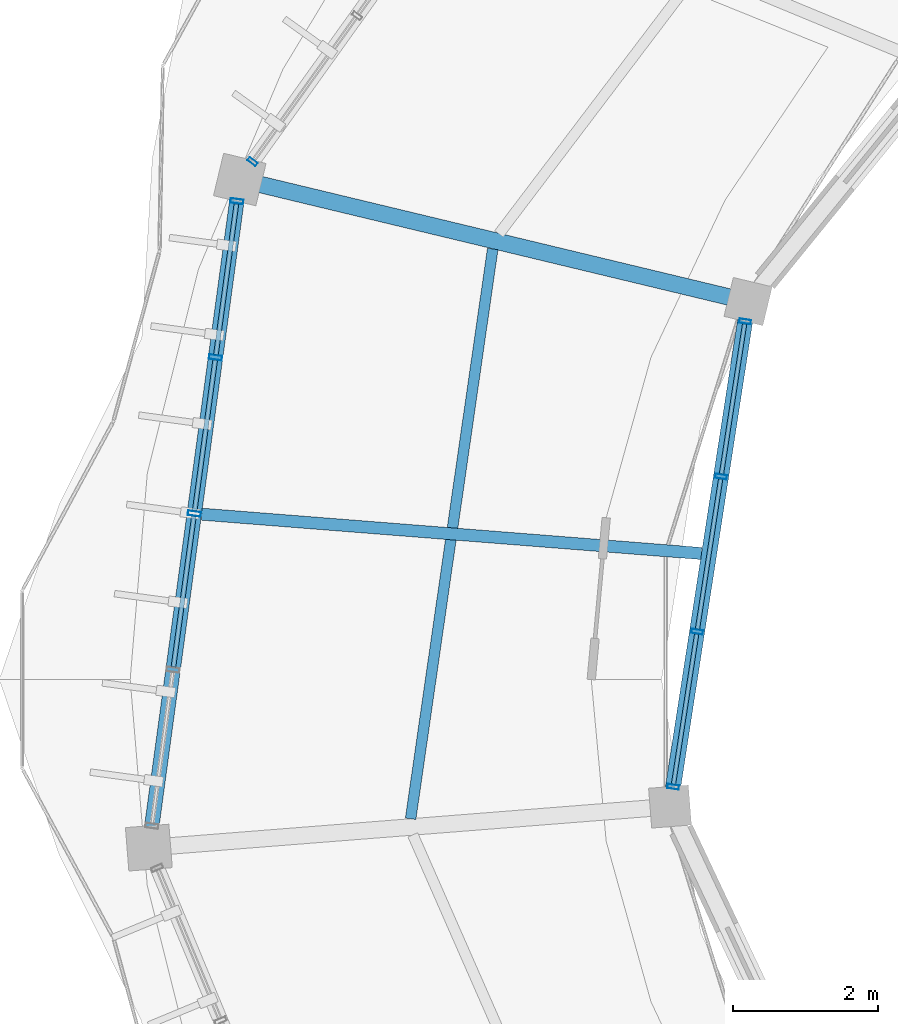
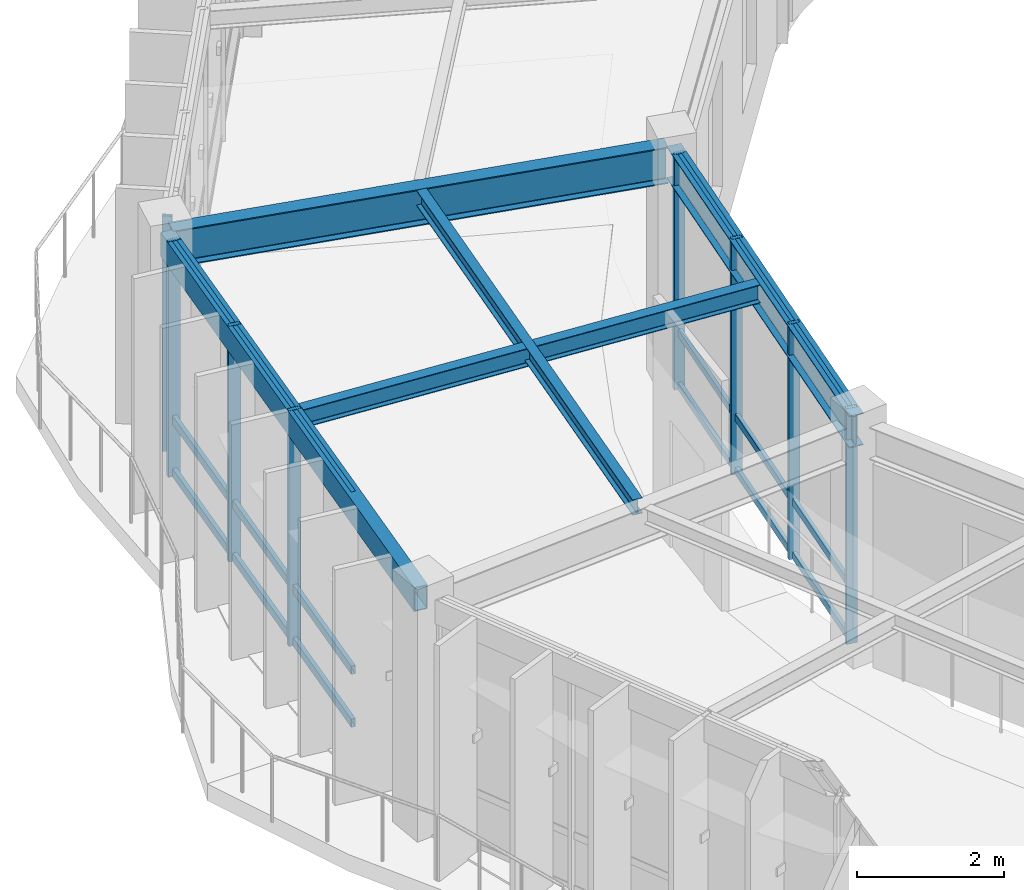
# One storey, part 18 of 83: 26 members, 5 beams, 3 elements without a shape of their own.
"""IFC4 building model written with IfcOpenShell, lengths in metres."""

from ifc_helpers import new_model, si_unit, direction, frame, origin, origin_2d, place, context, subcontext, project, spatial, hollow_rectangle, i_section, extrude, material, material_profile, profile_set, type_object, element, aggregate, save


model = new_model("IFC4")

# Units and contexts
model_context = context("Model", 3, precision=1e-05, world=origin(), true_north=direction((0.0, 1.0)))
body_context = subcontext(model_context, "Body", "Model", "MODEL_VIEW")
ifc_project = project(units=[si_unit("LENGTHUNIT", "METRE"), si_unit("AREAUNIT", "SQUARE_METRE"), si_unit("VOLUMEUNIT", "CUBIC_METRE"), si_unit("PLANEANGLEUNIT", "RADIAN"), si_unit("MASSUNIT", "GRAM", prefix="KILO"), si_unit("THERMODYNAMICTEMPERATUREUNIT", "KELVIN"), si_unit("POWERUNIT", "WATT")], contexts=[model_context])

# Site, building, storey
site_placement = place(None, origin())
site = spatial("IfcSite", under=ifc_project, at=site_placement, CompositionType="ELEMENT")
building_placement = place(site_placement, origin())
building = spatial("IfcBuilding", under=site, at=building_placement, Name="Darbajah Civic Hall", CompositionType="ELEMENT")
storey_placement = place(building_placement, frame((0.0, 0.0, 18.0)))
storey = spatial("IfcBuildingStorey", under=building, at=storey_placement, Name="L04", CompositionType="ELEMENT", Elevation=18.0)

# Curtain wall, member
ifc_material_1 = material(Name="Anodised Bronze Aluminium and Low-E Glazing", Category="aluminium")
curtain_wall_type_1 = type_object("IfcCurtainWallType", Name="Unitised Curtain Wall CW-68 9900x3900", PredefinedType="USERDEFINED", material=ifc_material_1)
curtain_wall_1_placement = place(storey_placement, origin())
curtain_wall_1 = element("IfcCurtainWall", 1, at=curtain_wall_1_placement, inside=storey, type_object=curtain_wall_type_1, Name="L04 unitised curtain wall CW-V1O-L04-08", ObjectType="UNITISED CURTAIN WALL", PredefinedType="USERDEFINED")
ifc_material_2 = material(Name="Anodised Bronze Aluminium", Category="aluminium")
ifc_material_profile_1 = material_profile(ifc_material_2, hollow_rectangle(XDim=0.054931640625, YDim=0.139892578125, WallThickness=0.003173828125, at=origin_2d()), Name="ALU MULLION 55x140")
ifc_profile_set_1 = profile_set([ifc_material_profile_1], Name="Anodised Bronze Aluminium")
member_type_1 = type_object("IfcMemberType", Name="ALU MULLION 55x140", PredefinedType="MULLION", material=ifc_profile_set_1)
member_1_placement = place(storey_placement, frame((39.684814453125, 96.93212890625, 0.0), z_axis=(0.0, 0.0, 1.0), x_axis=(-0.582264874145, -0.812999149039, 0.0)))
member_1 = element("IfcMember", 2, at=member_1_placement, type_object=member_type_1, Name="CW-V1O-L04-08 mullion 5", PredefinedType="MULLION", context=body_context, shape_type="SweptSolid", body=[
    extrude(hollow_rectangle(XDim=0.054931640625, YDim=0.139892578125, WallThickness=0.003173828125, at=origin_2d()), origin(), (0.0, 0.0, 1.0), 3.919921875),
])
aggregate(curtain_wall_1, [member_1])

# Curtain wall, members
curtain_wall_type_2 = type_object("IfcCurtainWallType", Name="Unitised Curtain Wall CW-70 6500x3900", PredefinedType="USERDEFINED", material=ifc_material_1)
curtain_wall_2_placement = place(storey_placement, origin())
curtain_wall_2 = element("IfcCurtainWall", 3, at=curtain_wall_2_placement, inside=storey, type_object=curtain_wall_type_2, Name="L04 unitised curtain wall CW-V1I-L04-09", ObjectType="UNITISED CURTAIN WALL", PredefinedType="USERDEFINED")
ifc_material_profile_2 = material_profile(ifc_material_2, hollow_rectangle(XDim=0.06005859375, YDim=0.159912109375, WallThickness=0.00341796875, at=origin_2d()), Name="ALU MULLION 60x160")
ifc_profile_set_2 = profile_set([ifc_material_profile_2], Name="Anodised Bronze Aluminium")
member_type_2 = type_object("IfcMemberType", Name="ALU MULLION 60x160", PredefinedType="MULLION", material=ifc_profile_set_2)
member_2_placement = place(storey_placement, frame((46.468017578125, 94.732177734375, 0.0), z_axis=(0.0, 0.0, 1.0), x_axis=(-0.152813355565, -0.98825506746, 0.0)))
member_2 = element("IfcMember", 4, at=member_2_placement, type_object=member_type_2, Name="CW-V1I-L04-09 mullion 1", PredefinedType="MULLION", context=body_context, shape_type="SweptSolid", body=[
    extrude(hollow_rectangle(XDim=0.06005859375, YDim=0.159912109375, WallThickness=0.00341796875, at=origin_2d()), origin(), (0.0, 0.0, 1.0), 3.919921875),
])
member_3_placement = place(storey_placement, frame((46.1376953125, 92.59619140625, 0.0), z_axis=(0.0, 0.0, 1.0), x_axis=(-0.152813355565, -0.98825506746, 0.0)))
member_3 = element("IfcMember", 5, at=member_3_placement, type_object=member_type_2, Name="CW-V1I-L04-09 mullion 2", PredefinedType="MULLION", context=body_context, shape_type="SweptSolid", body=[
    extrude(hollow_rectangle(XDim=0.06005859375, YDim=0.159912109375, WallThickness=0.00341796875, at=origin_2d()), origin(), (0.0, 0.0, 1.0), 3.919921875),
])
member_4_placement = place(storey_placement, frame((45.8076171875, 90.460205078125, 0.0), z_axis=(0.0, 0.0, 1.0), x_axis=(-0.152813355565, -0.98825506746, 0.0)))
member_4 = element("IfcMember", 6, at=member_4_placement, type_object=member_type_2, Name="CW-V1I-L04-09 mullion 3", PredefinedType="MULLION", context=body_context, shape_type="SweptSolid", body=[
    extrude(hollow_rectangle(XDim=0.06005859375, YDim=0.159912109375, WallThickness=0.00341796875, at=origin_2d()), origin(), (0.0, 0.0, 1.0), 3.919921875),
])
member_5_placement = place(storey_placement, frame((45.477294921875, 88.32421875, 0.0), z_axis=(0.0, 0.0, 1.0), x_axis=(-0.152813355565, -0.98825506746, 0.0)))
member_5 = element("IfcMember", 7, at=member_5_placement, type_object=member_type_2, Name="CW-V1I-L04-09 mullion 4", PredefinedType="MULLION", context=body_context, shape_type="SweptSolid", body=[
    extrude(hollow_rectangle(XDim=0.06005859375, YDim=0.159912109375, WallThickness=0.00341796875, at=origin_2d()), origin(), (0.0, 0.0, 1.0), 3.919921875),
])

curtain_wall_type_3 = type_object("IfcCurtainWallType", Name="Unitised Curtain Wall CW-69 8700x3900", PredefinedType="USERDEFINED", material=ifc_material_1)
curtain_wall_3_placement = place(storey_placement, origin())
curtain_wall_3 = element("IfcCurtainWall", 8, at=curtain_wall_3_placement, inside=storey, type_object=curtain_wall_type_3, Name="L04 unitised curtain wall CW-V1O-L04-09", ObjectType="UNITISED CURTAIN WALL", PredefinedType="USERDEFINED")
ifc_material_profile_3 = material_profile(ifc_material_2, hollow_rectangle(XDim=0.06494140625, YDim=0.179931640625, WallThickness=0.00390625, at=origin_2d()), Name="ALU MULLION 65x180")
ifc_profile_set_3 = profile_set([ifc_material_profile_3], Name="Anodised Bronze Aluminium")
member_type_3 = type_object("IfcMemberType", Name="ALU MULLION 65x180", PredefinedType="MULLION", material=ifc_profile_set_3)
member_6_placement = place(storey_placement, frame((39.468505859375, 96.387451171875, 0.0), z_axis=(0.0, 0.0, 1.0), x_axis=(-0.134850930274, -0.990865897387, 0.0)))
member_6 = element("IfcMember", 9, at=member_6_placement, type_object=member_type_3, Name="CW-V1O-L04-09 mullion 1", PredefinedType="MULLION", context=body_context, shape_type="SweptSolid", body=[
    extrude(hollow_rectangle(XDim=0.06494140625, YDim=0.179931640625, WallThickness=0.00390625, at=origin_2d()), origin(), (0.0, 0.0, 1.0), 3.919921875),
])
member_7_placement = place(storey_placement, frame((39.17578125, 94.23681640625, 0.0), z_axis=(0.0, 0.0, 1.0), x_axis=(-0.134850930274, -0.990865897387, 0.0)))
member_7 = element("IfcMember", 10, at=member_7_placement, type_object=member_type_3, Name="CW-V1O-L04-09 mullion 2", PredefinedType="MULLION", context=body_context, shape_type="SweptSolid", body=[
    extrude(hollow_rectangle(XDim=0.06494140625, YDim=0.179931640625, WallThickness=0.00390625, at=origin_2d()), origin(), (0.0, 0.0, 1.0), 3.919921875),
])
member_8_placement = place(storey_placement, frame((38.88330078125, 92.086181640625, 0.0), z_axis=(0.0, 0.0, 1.0), x_axis=(-0.134850930274, -0.990865897387, 0.0)))
member_8 = element("IfcMember", 11, at=member_8_placement, type_object=member_type_3, Name="CW-V1O-L04-09 mullion 3", PredefinedType="MULLION", context=body_context, shape_type="SweptSolid", body=[
    extrude(hollow_rectangle(XDim=0.06494140625, YDim=0.179931640625, WallThickness=0.00390625, at=origin_2d()), origin(), (0.0, 0.0, 1.0), 3.919921875),
])

# Member
ifc_material_profile_4 = material_profile(ifc_material_2, hollow_rectangle(XDim=0.06005859375, YDim=0.1201171875, WallThickness=0.003173828125, at=origin_2d()), Name="ALU TRANSOM 60x120")
ifc_profile_set_4 = profile_set([ifc_material_profile_4], Name="Anodised Bronze Aluminium")
member_type_4 = type_object("IfcMemberType", Name="ALU TRANSOM 60x120", PredefinedType="USERDEFINED", material=ifc_profile_set_4)
member_9_placement = place(storey_placement, frame((46.462646484375, 94.697509765625, 0.06005859375), z_axis=(-0.152802744048, -0.988256708255, 0.0), x_axis=(0.988256708255, -0.152802744048, 0.0)))
member_9 = element("IfcMember", 12, at=member_9_placement, type_object=member_type_4, Name="CW-V1I-L04-09 transom 1.1", ObjectType="TRANSOM", PredefinedType="USERDEFINED", context=body_context, shape_type="SweptSolid", body=[
    extrude(hollow_rectangle(XDim=0.06005859375, YDim=0.1201171875, WallThickness=0.003173828125, at=origin_2d()), origin(), (0.0, 0.0, 1.0), 2.091552734375),
])

member_10_placement = place(storey_placement, frame((46.462646484375, 94.697509765625, 0.949951171875), z_axis=(-0.152802744048, -0.988256708255, 0.0), x_axis=(0.988256708255, -0.152802744048, 0.0)))
member_10 = element("IfcMember", 13, at=member_10_placement, type_object=member_type_4, Name="CW-V1I-L04-09 transom 1.2", ObjectType="TRANSOM", PredefinedType="USERDEFINED", context=body_context, shape_type="SweptSolid", body=[
    extrude(hollow_rectangle(XDim=0.06005859375, YDim=0.1201171875, WallThickness=0.003173828125, at=origin_2d()), origin(), (0.0, 0.0, 1.0), 2.091552734375),
])

member_11_placement = place(storey_placement, frame((46.462646484375, 94.697509765625, 3.860107421875), z_axis=(-0.152802744048, -0.988256708255, 0.0), x_axis=(0.988256708255, -0.152802744048, 0.0)))
member_11 = element("IfcMember", 14, at=member_11_placement, type_object=member_type_4, Name="CW-V1I-L04-09 transom 1.3", ObjectType="TRANSOM", PredefinedType="USERDEFINED", context=body_context, shape_type="SweptSolid", body=[
    extrude(hollow_rectangle(XDim=0.06005859375, YDim=0.1201171875, WallThickness=0.003173828125, at=origin_2d()), origin(), (0.0, 0.0, 1.0), 2.091552734375),
])

member_12_placement = place(storey_placement, frame((46.13232421875, 92.5615234375, 0.06005859375), z_axis=(-0.152802744048, -0.988256708255, 0.0), x_axis=(0.988256708255, -0.152802744048, 0.0)))
member_12 = element("IfcMember", 15, at=member_12_placement, type_object=member_type_4, Name="CW-V1I-L04-09 transom 2.1", ObjectType="TRANSOM", PredefinedType="USERDEFINED", context=body_context, shape_type="SweptSolid", body=[
    extrude(hollow_rectangle(XDim=0.06005859375, YDim=0.1201171875, WallThickness=0.003173828125, at=origin_2d()), origin(), (0.0, 0.0, 1.0), 2.091552734375),
])

member_13_placement = place(storey_placement, frame((46.13232421875, 92.5615234375, 0.949951171875), z_axis=(-0.152802744048, -0.988256708255, 0.0), x_axis=(0.988256708255, -0.152802744048, 0.0)))
member_13 = element("IfcMember", 16, at=member_13_placement, type_object=member_type_4, Name="CW-V1I-L04-09 transom 2.2", ObjectType="TRANSOM", PredefinedType="USERDEFINED", context=body_context, shape_type="SweptSolid", body=[
    extrude(hollow_rectangle(XDim=0.06005859375, YDim=0.1201171875, WallThickness=0.003173828125, at=origin_2d()), origin(), (0.0, 0.0, 1.0), 2.091552734375),
])

member_14_placement = place(storey_placement, frame((46.13232421875, 92.5615234375, 3.860107421875), z_axis=(-0.152802744048, -0.988256708255, 0.0), x_axis=(0.988256708255, -0.152802744048, 0.0)))
member_14 = element("IfcMember", 17, at=member_14_placement, type_object=member_type_4, Name="CW-V1I-L04-09 transom 2.3", ObjectType="TRANSOM", PredefinedType="USERDEFINED", context=body_context, shape_type="SweptSolid", body=[
    extrude(hollow_rectangle(XDim=0.06005859375, YDim=0.1201171875, WallThickness=0.003173828125, at=origin_2d()), origin(), (0.0, 0.0, 1.0), 2.091552734375),
])

member_15_placement = place(storey_placement, frame((45.80224609375, 90.425537109375, 0.06005859375), z_axis=(-0.152802744048, -0.988256708255, 0.0), x_axis=(0.988256708255, -0.152802744048, 0.0)))
member_15 = element("IfcMember", 18, at=member_15_placement, type_object=member_type_4, Name="CW-V1I-L04-09 transom 3.1", ObjectType="TRANSOM", PredefinedType="USERDEFINED", context=body_context, shape_type="SweptSolid", body=[
    extrude(hollow_rectangle(XDim=0.06005859375, YDim=0.1201171875, WallThickness=0.003173828125, at=origin_2d()), origin(), (0.0, 0.0, 1.0), 2.091552734375),
])

member_16_placement = place(storey_placement, frame((45.80224609375, 90.425537109375, 0.949951171875), z_axis=(-0.152802744048, -0.988256708255, 0.0), x_axis=(0.988256708255, -0.152802744048, 0.0)))
member_16 = element("IfcMember", 19, at=member_16_placement, type_object=member_type_4, Name="CW-V1I-L04-09 transom 3.2", ObjectType="TRANSOM", PredefinedType="USERDEFINED", context=body_context, shape_type="SweptSolid", body=[
    extrude(hollow_rectangle(XDim=0.06005859375, YDim=0.1201171875, WallThickness=0.003173828125, at=origin_2d()), origin(), (0.0, 0.0, 1.0), 2.091552734375),
])

member_17_placement = place(storey_placement, frame((45.80224609375, 90.425537109375, 3.860107421875), z_axis=(-0.152802744048, -0.988256708255, 0.0), x_axis=(0.988256708255, -0.152802744048, 0.0)))
member_17 = element("IfcMember", 20, at=member_17_placement, type_object=member_type_4, Name="CW-V1I-L04-09 transom 3.3", ObjectType="TRANSOM", PredefinedType="USERDEFINED", context=body_context, shape_type="SweptSolid", body=[
    extrude(hollow_rectangle(XDim=0.06005859375, YDim=0.1201171875, WallThickness=0.003173828125, at=origin_2d()), origin(), (0.0, 0.0, 1.0), 2.091552734375),
])

aggregate(curtain_wall_2, [member_2, member_3, member_4, member_5, member_9, member_10, member_11, member_12, member_13, member_14, member_15, member_16, member_17])

ifc_material_profile_5 = material_profile(ifc_material_2, hollow_rectangle(XDim=0.06494140625, YDim=0.139892578125, WallThickness=0.00341796875, at=origin_2d()), Name="ALU TRANSOM 65x140")
ifc_profile_set_5 = profile_set([ifc_material_profile_5], Name="Anodised Bronze Aluminium")
member_type_5 = type_object("IfcMemberType", Name="ALU TRANSOM 65x140", PredefinedType="USERDEFINED", material=ifc_profile_set_5)
member_18_placement = place(storey_placement, frame((39.46337890625, 96.35009765625, 0.070068359375), z_axis=(-0.134811621813, -0.990871246239, 0.0), x_axis=(0.990871246239, -0.134811621813, 0.0)))
member_18 = element("IfcMember", 21, at=member_18_placement, type_object=member_type_5, Name="CW-V1O-L04-09 transom 1.1", ObjectType="TRANSOM", PredefinedType="USERDEFINED", context=body_context, shape_type="SweptSolid", body=[
    extrude(hollow_rectangle(XDim=0.06494140625, YDim=0.139892578125, WallThickness=0.00341796875, at=origin_2d()), origin(), (0.0, 0.0, 1.0), 2.09521484375),
])

member_19_placement = place(storey_placement, frame((39.46337890625, 96.35009765625, 0.949951171875), z_axis=(-0.134811621813, -0.990871246239, 0.0), x_axis=(0.990871246239, -0.134811621813, 0.0)))
member_19 = element("IfcMember", 22, at=member_19_placement, type_object=member_type_5, Name="CW-V1O-L04-09 transom 1.2", ObjectType="TRANSOM", PredefinedType="USERDEFINED", context=body_context, shape_type="SweptSolid", body=[
    extrude(hollow_rectangle(XDim=0.06494140625, YDim=0.139892578125, WallThickness=0.00341796875, at=origin_2d()), origin(), (0.0, 0.0, 1.0), 2.09521484375),
])

member_20_placement = place(storey_placement, frame((39.46337890625, 96.35009765625, 3.85009765625), z_axis=(-0.134811621813, -0.990871246239, 0.0), x_axis=(0.990871246239, -0.134811621813, 0.0)))
member_20 = element("IfcMember", 23, at=member_20_placement, type_object=member_type_5, Name="CW-V1O-L04-09 transom 1.3", ObjectType="TRANSOM", PredefinedType="USERDEFINED", context=body_context, shape_type="SweptSolid", body=[
    extrude(hollow_rectangle(XDim=0.06494140625, YDim=0.139892578125, WallThickness=0.00341796875, at=origin_2d()), origin(), (0.0, 0.0, 1.0), 2.09521484375),
])

member_21_placement = place(storey_placement, frame((39.170654296875, 94.19970703125, 0.070068359375), z_axis=(-0.134796058973, -0.990873363496, 0.0), x_axis=(0.990873363496, -0.134796058973, 0.0)))
member_21 = element("IfcMember", 24, at=member_21_placement, type_object=member_type_5, Name="CW-V1O-L04-09 transom 2.1", ObjectType="TRANSOM", PredefinedType="USERDEFINED", context=body_context, shape_type="SweptSolid", body=[
    extrude(hollow_rectangle(XDim=0.06494140625, YDim=0.139892578125, WallThickness=0.00341796875, at=origin_2d()), origin(), (0.0, 0.0, 1.0), 2.095458984375),
])

member_22_placement = place(storey_placement, frame((39.170654296875, 94.19970703125, 0.949951171875), z_axis=(-0.134796058973, -0.990873363496, 0.0), x_axis=(0.990873363496, -0.134796058973, 0.0)))
member_22 = element("IfcMember", 25, at=member_22_placement, type_object=member_type_5, Name="CW-V1O-L04-09 transom 2.2", ObjectType="TRANSOM", PredefinedType="USERDEFINED", context=body_context, shape_type="SweptSolid", body=[
    extrude(hollow_rectangle(XDim=0.06494140625, YDim=0.139892578125, WallThickness=0.00341796875, at=origin_2d()), origin(), (0.0, 0.0, 1.0), 2.095458984375),
])

member_23_placement = place(storey_placement, frame((39.170654296875, 94.19970703125, 3.85009765625), z_axis=(-0.134796058973, -0.990873363496, 0.0), x_axis=(0.990873363496, -0.134796058973, 0.0)))
member_23 = element("IfcMember", 26, at=member_23_placement, type_object=member_type_5, Name="CW-V1O-L04-09 transom 2.3", ObjectType="TRANSOM", PredefinedType="USERDEFINED", context=body_context, shape_type="SweptSolid", body=[
    extrude(hollow_rectangle(XDim=0.06494140625, YDim=0.139892578125, WallThickness=0.00341796875, at=origin_2d()), origin(), (0.0, 0.0, 1.0), 2.095458984375),
])

member_24_placement = place(storey_placement, frame((38.878173828125, 92.048828125, 0.070068359375), z_axis=(-0.134796058973, -0.990873363496, 0.0), x_axis=(0.990873363496, -0.134796058973, 0.0)))
member_24 = element("IfcMember", 27, at=member_24_placement, type_object=member_type_5, Name="CW-V1O-L04-09 transom 3.1", ObjectType="TRANSOM", PredefinedType="USERDEFINED", context=body_context, shape_type="SweptSolid", body=[
    extrude(hollow_rectangle(XDim=0.06494140625, YDim=0.139892578125, WallThickness=0.00341796875, at=origin_2d()), origin(), (0.0, 0.0, 1.0), 2.095458984375),
])

member_25_placement = place(storey_placement, frame((38.878173828125, 92.048828125, 0.949951171875), z_axis=(-0.134796058973, -0.990873363496, 0.0), x_axis=(0.990873363496, -0.134796058973, 0.0)))
member_25 = element("IfcMember", 28, at=member_25_placement, type_object=member_type_5, Name="CW-V1O-L04-09 transom 3.2", ObjectType="TRANSOM", PredefinedType="USERDEFINED", context=body_context, shape_type="SweptSolid", body=[
    extrude(hollow_rectangle(XDim=0.06494140625, YDim=0.139892578125, WallThickness=0.00341796875, at=origin_2d()), origin(), (0.0, 0.0, 1.0), 2.095458984375),
])

member_26_placement = place(storey_placement, frame((38.878173828125, 92.048828125, 3.85009765625), z_axis=(-0.134796058973, -0.990873363496, 0.0), x_axis=(0.990873363496, -0.134796058973, 0.0)))
member_26 = element("IfcMember", 29, at=member_26_placement, type_object=member_type_5, Name="CW-V1O-L04-09 transom 3.3", ObjectType="TRANSOM", PredefinedType="USERDEFINED", context=body_context, shape_type="SweptSolid", body=[
    extrude(hollow_rectangle(XDim=0.06494140625, YDim=0.139892578125, WallThickness=0.00341796875, at=origin_2d()), origin(), (0.0, 0.0, 1.0), 2.095458984375),
])

aggregate(curtain_wall_3, [member_6, member_7, member_8, member_18, member_19, member_20, member_21, member_22, member_23, member_24, member_25, member_26])

# Beams
ifc_material_3 = material(Name="Steel S355JR", Category="steel")
ifc_material_profile_6 = material_profile(ifc_material_3, hollow_rectangle(XDim=0.199951171875, YDim=0.39990234375, WallThickness=0.013916015625, at=origin_2d()), Name="RHS 400x200x14")
ifc_profile_set_6 = profile_set([ifc_material_profile_6], Name="Steel S355JR")
beam_type_1 = type_object("IfcBeamType", Name="RHS 400x200x14", PredefinedType="SPANDREL", material=ifc_profile_set_6)
beam_1_placement = place(storey_placement, frame((39.498291015625, 96.607421875, 3.719970703125), z_axis=(-0.134804002093, -0.9908722829, 0.0), x_axis=(0.9908722829, -0.134804002093, 0.0)))
element("IfcBeam", 30, at=beam_1_placement, inside=storey, type_object=beam_type_1, Name="L04 beam SP-RHS400", PredefinedType="SPANDREL", context=body_context, shape_type="SweptSolid", body=[
    extrude(hollow_rectangle(XDim=0.199951171875, YDim=0.39990234375, WallThickness=0.013916015625, at=origin_2d()), origin(), (0.0, 0.0, 1.0), 9.1259765625),
])
ifc_material_profile_7 = material_profile(ifc_material_3, i_section(OverallWidth=0.146484375, OverallDepth=0.256103515625, WebThickness=0.00634765625, FlangeThickness=0.010986328125, FilletRadius=0.007568359375, at=origin_2d()), Name="UB 254x146x37")
ifc_profile_set_7 = profile_set([ifc_material_profile_7], Name="Steel S355JR")
beam_type_2 = type_object("IfcBeamType", Name="UB 254x146x37", PredefinedType="JOIST", material=ifc_profile_set_7)
beam_2_placement = place(storey_placement, frame((42.9931640625, 95.7314453125, 3.7919921875), z_axis=(-0.142580747671, -0.989783173424, 0.0), x_axis=(0.989783173424, -0.142580747671, 0.0)))
element("IfcBeam", 31, at=beam_2_placement, inside=storey, type_object=beam_type_2, Name="L04 beam SJ-254", PredefinedType="JOIST", context=body_context, shape_type="SweptSolid", body=[
    extrude(i_section(OverallWidth=0.146484375, OverallDepth=0.256103515625, WebThickness=0.00634765625, FlangeThickness=0.010986328125, FilletRadius=0.007568359375, at=origin_2d()), origin(), (0.0, 0.0, 1.0), 7.9296875),
])
ifc_material_profile_8 = material_profile(ifc_material_3, i_section(OverallWidth=0.165771484375, OverallDepth=0.306640625, WebThickness=0.006591796875, FlangeThickness=0.01171875, FilletRadius=0.0087890625, at=origin_2d()), Name="UB 305x165x46")
ifc_profile_set_8 = profile_set([ifc_material_profile_8], Name="Steel S355JR")
beam_type_3 = type_object("IfcBeamType", Name="UB 305x165x46", PredefinedType="JOIST", material=ifc_profile_set_8)
beam_3_placement = place(storey_placement, frame((45.866943359375, 91.536376953125, 3.7666015625), z_axis=(-0.996918778661, 0.078440734012, 0.0), x_axis=(-0.078440734012, -0.996918778661, 0.0)))
element("IfcBeam", 32, at=beam_3_placement, inside=storey, type_object=beam_type_3, Name="L04 beam SJ-305", PredefinedType="JOIST", context=body_context, shape_type="SweptSolid", body=[
    extrude(i_section(OverallWidth=0.165771484375, OverallDepth=0.306640625, WebThickness=0.006591796875, FlangeThickness=0.01171875, FilletRadius=0.0087890625, at=origin_2d()), origin(), (0.0, 0.0, 1.0), 6.9033203125),
])
ifc_material_profile_9 = material_profile(ifc_material_3, i_section(OverallWidth=0.209228515625, OverallDepth=0.533203125, WebThickness=0.010009765625, FlangeThickness=0.015625, FilletRadius=0.0126953125, at=origin_2d()), Name="UB 533x210x92")
ifc_profile_set_9 = profile_set([ifc_material_profile_9], Name="Steel S355JR")
beam_type_4 = type_object("IfcBeamType", Name="UB 533x210x92", PredefinedType="BEAM", material=ifc_profile_set_9)
beam_4_placement = place(storey_placement, frame((46.498046875, 94.9267578125, 3.653564453125), z_axis=(-0.152771975645, -0.988261465128, 0.0), x_axis=(0.988261465128, -0.152771975645, 0.0)))
element("IfcBeam", 33, at=beam_4_placement, inside=storey, type_object=beam_type_4, Name="L04 beam SB-533", PredefinedType="BEAM", context=body_context, shape_type="SweptSolid", body=[
    extrude(i_section(OverallWidth=0.209228515625, OverallDepth=0.533203125, WebThickness=0.010009765625, FlangeThickness=0.015625, FilletRadius=0.0126953125, at=origin_2d()), origin(), (0.0, 0.0, 1.0), 6.878173828125),
])
ifc_material_profile_10 = material_profile(ifc_material_3, i_section(OverallWidth=0.228271484375, OverallDepth=0.607666015625, WebThickness=0.010986328125, FlangeThickness=0.017333984375, FilletRadius=0.0126953125, at=origin_2d()), Name="UB 610x229x113")
ifc_profile_set_10 = profile_set([ifc_material_profile_10], Name="Steel S355JR")
beam_type_5 = type_object("IfcBeamType", Name="UB 610x229x113", PredefinedType="BEAM", material=ifc_profile_set_10)
beam_5_placement = place(storey_placement, frame((46.432373046875, 95.0244140625, 3.6162109375), z_axis=(-0.972366522162, 0.233459518071, 0.0), x_axis=(-0.233459518071, -0.972366522162, 0.0)))
element("IfcBeam", 34, at=beam_5_placement, inside=storey, type_object=beam_type_5, Name="L04 beam SB-610", PredefinedType="BEAM", context=body_context, shape_type="SweptSolid", body=[
    extrude(i_section(OverallWidth=0.228271484375, OverallDepth=0.607666015625, WebThickness=0.010986328125, FlangeThickness=0.017333984375, FilletRadius=0.0126953125, at=origin_2d()), origin(), (0.0, 0.0, 1.0), 7.0400390625),
])

save(model, "model.ifc")
